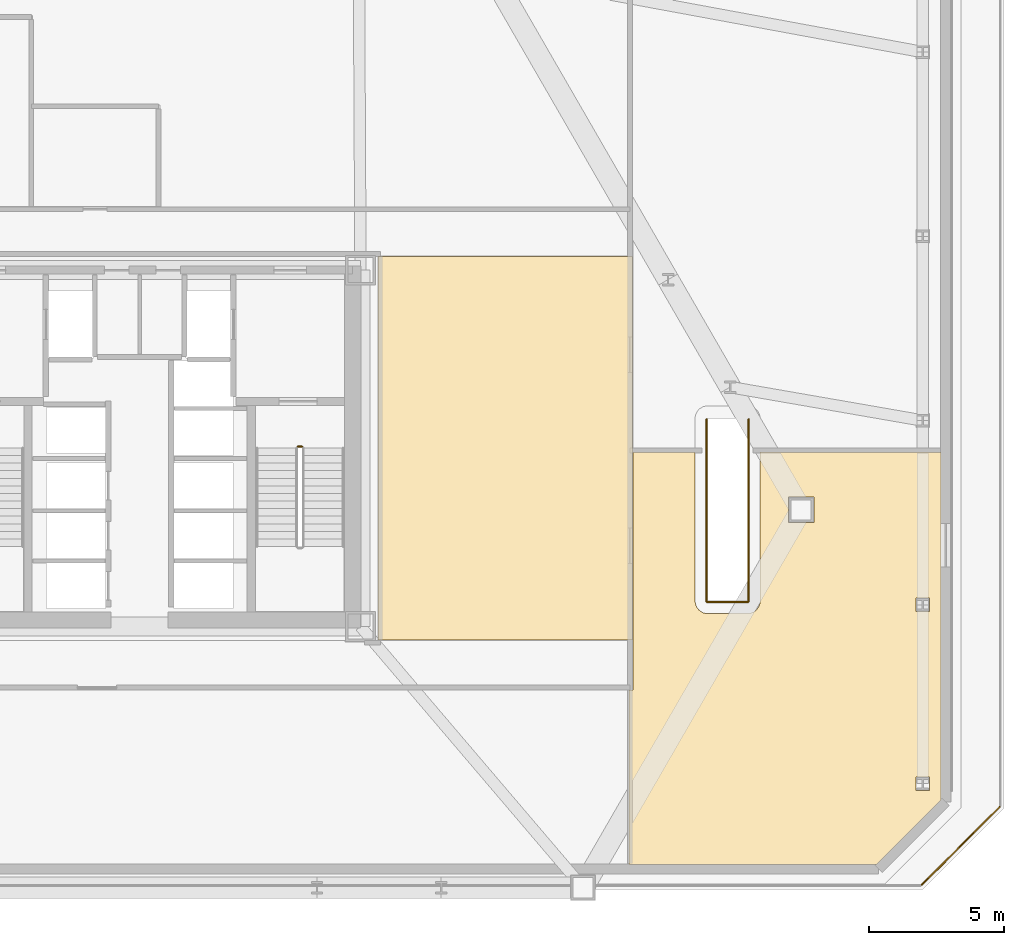
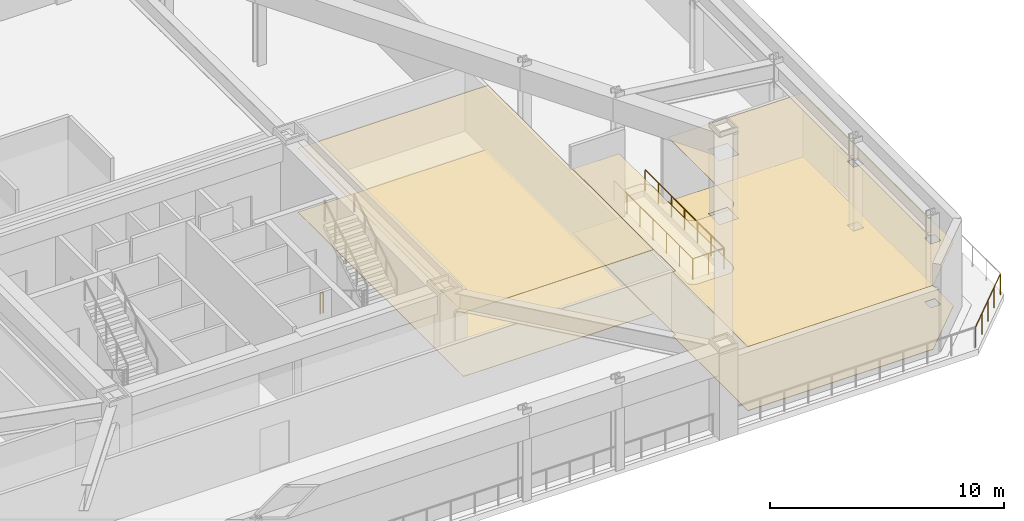
# One storey, part 9 of 10: 5 railings, 4 coverings.
"""IFC4 building model written with IfcOpenShell, lengths in metres."""

from ifc_helpers import new_model, si_unit, direction, frame, origin, origin_2d, place, context, subcontext, project, spatial, polyline, circle, outline, extrude, material, layer, layer_set, type_object, element, save


model = new_model("IFC4")

# Units and contexts
model_context = context("Model", 3, precision=1e-05, world=origin(), true_north=direction((0.0, 1.0)))
body_context = subcontext(model_context, "Body", "Model", "MODEL_VIEW")
ifc_project = project(units=[si_unit("LENGTHUNIT", "METRE"), si_unit("AREAUNIT", "SQUARE_METRE"), si_unit("VOLUMEUNIT", "CUBIC_METRE"), si_unit("PLANEANGLEUNIT", "RADIAN"), si_unit("MASSUNIT", "GRAM", prefix="KILO")], contexts=[model_context])

# Site, building, storey
site_placement = place(None, origin())
site = spatial("IfcSite", under=ifc_project, at=site_placement, CompositionType="ELEMENT")
building_placement = place(site_placement, origin())
building = spatial("IfcBuilding", under=site, at=building_placement, Name="Oramaril Tower", CompositionType="ELEMENT")
storey_placement = place(building_placement, frame((0.0, 0.0, 22.5)))
storey = spatial("IfcBuildingStorey", under=building, at=storey_placement, Name="L05", CompositionType="ELEMENT", Elevation=22.5)

# Coverings
ifc_material_1 = material(Name="Mineral Fibre Acoustic Ceiling")
ifc_layer_1 = layer(ifc_material_1, 0.02001953125)
ifc_layer_set_1 = layer_set([ifc_layer_1], Name="CVT-CEIL")
covering_type_1 = type_object("IfcCoveringType", Name="CVT-CEIL", PredefinedType="CEILING", material=ifc_layer_set_1)
covering_1_placement = place(storey_placement, frame((0.0, 0.0, 3.342041015625)))
element("IfcCovering", 1, at=covering_1_placement, inside=storey, type_object=covering_type_1, Name="L05 Acoustic Suspended Ceiling 4", PredefinedType="CEILING", context=body_context, shape_type="SweptSolid", body=[
    extrude(outline(polyline([(55.679931640625, 10.5), (46.300048828125, 10.5), (46.300048828125, 24.64990234375), (55.679931640625, 24.64990234375), (55.679931640625, 10.5)])), origin(), (0.0, 0.0, 1.0), 0.02001953125),
])
covering_2_placement = place(storey_placement, frame((0.0, 0.0, 3.342041015625)))
element("IfcCovering", 2, at=covering_2_placement, inside=storey, type_object=covering_type_1, Name="L05 Acoustic Suspended Ceiling 7", PredefinedType="CEILING", context=body_context, shape_type="SweptSolid", body=[
    extrude(outline(polyline([(57.99951171875, 11.9052734375), (58.03466796875, 11.765380859375), (58.077880859375, 11.684814453125), (58.13720703125, 11.6123046875), (58.209716796875, 11.552734375), (58.292236328125, 11.5087890625), (58.3818359375, 11.4814453125), (58.477783203125, 11.471923828125), (60.019775390625, 11.482666015625), (60.14990234375, 11.529052734375), (60.262451171875, 11.612548828125), (60.34716796875, 11.7265625), (60.38134765625, 11.8095703125), (60.403076171875, 11.955078125), (60.403076171875, 17.43798828125), (67.08203125, 17.43798828125), (67.08203125, 4.597412109375), (64.70263671875, 2.218017578125), (55.55810546875, 2.218017578125), (55.55810546875, 8.64990234375), (55.679931640625, 8.64990234375), (55.681884765625, 8.650146484375), (55.683837890625, 8.650390625), (55.685791015625, 8.65087890625), (55.687744140625, 8.651611328125), (55.689453125, 8.65234375), (55.691162109375, 8.6533203125), (55.692626953125, 8.654541015625), (55.694091796875, 8.656005859375), (55.695556640625, 8.6572265625), (55.696533203125, 8.658935546875), (55.697509765625, 8.66064453125), (55.698486328125, 8.662353515625), (55.69921875, 8.664306640625), (55.69970703125, 8.666015625), (55.699951171875, 8.66796875), (55.699951171875, 8.669921875), (55.699951171875, 10.47998046875), (55.699951171875, 10.48193359375), (55.69970703125, 10.48388671875), (55.69921875, 10.48583984375), (55.698486328125, 10.48779296875), (55.697509765625, 10.489501953125), (55.697265625, 10.489990234375), (55.697509765625, 10.490478515625), (55.698486328125, 10.4921875), (55.69921875, 10.494140625), (55.69970703125, 10.49609375), (55.699951171875, 10.498046875), (55.699951171875, 10.5), (55.699951171875, 17.43798828125), (57.996826171875, 17.43798828125), (57.9970703125, 17.43798828125), (57.99951171875, 11.9052734375)]), holes=[polyline([(66.652587890625, 4.947509765625), (66.652587890625, 5.452392578125), (66.1474609375, 5.452392578125), (66.1474609375, 4.947509765625), (66.652587890625, 4.947509765625)]), polyline([(66.652587890625, 12.052490234375), (66.1474609375, 12.052490234375), (66.1474609375, 11.547607421875), (66.652587890625, 11.547607421875), (66.652587890625, 12.052490234375)]), polyline([(62.38037109375, 15.77001953125), (61.440185546875, 15.77001953125), (61.440185546875, 14.830078125), (62.38037109375, 14.830078125), (62.38037109375, 15.77001953125)])]), origin(), (0.0, 0.0, 1.0), 0.02001953125),
])
ifc_material_2 = material(Name="Honed Quartzite Stone Flooring", Category="masonry")
ifc_layer_2 = layer(ifc_material_2, 0.02490234375)
ifc_layer_set_2 = layer_set([ifc_layer_2], Name="CVT-FLR")
covering_type_2 = type_object("IfcCoveringType", Name="CVT-FLR", PredefinedType="FLOORING", material=ifc_layer_set_2)
covering_3_placement = place(storey_placement, origin())
element("IfcCovering", 3, at=covering_3_placement, inside=storey, type_object=covering_type_2, Name="L05 Honed Stone Floor Finish 4", PredefinedType="FLOORING", context=body_context, shape_type="SweptSolid", body=[
    extrude(outline(polyline([(55.679931640625, 10.5), (46.300048828125, 10.5), (46.300048828125, 24.64990234375), (55.679931640625, 24.64990234375), (55.679931640625, 10.5)])), origin(), (0.0, 0.0, 1.0), 0.02490234375),
])
covering_4_placement = place(storey_placement, origin())
element("IfcCovering", 4, at=covering_4_placement, inside=storey, type_object=covering_type_2, Name="L05 Honed Stone Floor Finish 7", PredefinedType="FLOORING", context=body_context, shape_type="SweptSolid", body=[
    extrude(outline(polyline([(57.99951171875, 11.9052734375), (58.03466796875, 11.765380859375), (58.077880859375, 11.684814453125), (58.13720703125, 11.6123046875), (58.209716796875, 11.552734375), (58.292236328125, 11.5087890625), (58.3818359375, 11.4814453125), (58.477783203125, 11.471923828125), (60.019775390625, 11.482666015625), (60.14990234375, 11.529052734375), (60.262451171875, 11.612548828125), (60.34716796875, 11.7265625), (60.38134765625, 11.8095703125), (60.403076171875, 11.955078125), (60.403076171875, 17.43798828125), (67.08203125, 17.43798828125), (67.08203125, 4.597412109375), (64.70263671875, 2.218017578125), (55.55810546875, 2.218017578125), (55.55810546875, 8.64990234375), (55.679931640625, 8.64990234375), (55.681884765625, 8.650146484375), (55.683837890625, 8.650390625), (55.685791015625, 8.65087890625), (55.687744140625, 8.651611328125), (55.689453125, 8.65234375), (55.691162109375, 8.6533203125), (55.692626953125, 8.654541015625), (55.694091796875, 8.656005859375), (55.695556640625, 8.6572265625), (55.696533203125, 8.658935546875), (55.697509765625, 8.66064453125), (55.698486328125, 8.662353515625), (55.69921875, 8.664306640625), (55.69970703125, 8.666015625), (55.699951171875, 8.66796875), (55.699951171875, 8.669921875), (55.699951171875, 10.47998046875), (55.699951171875, 10.48193359375), (55.69970703125, 10.48388671875), (55.69921875, 10.48583984375), (55.698486328125, 10.48779296875), (55.697509765625, 10.489501953125), (55.697265625, 10.489990234375), (55.697509765625, 10.490478515625), (55.698486328125, 10.4921875), (55.69921875, 10.494140625), (55.69970703125, 10.49609375), (55.699951171875, 10.498046875), (55.699951171875, 10.5), (55.699951171875, 17.43798828125), (57.996826171875, 17.43798828125), (57.9970703125, 17.43798828125), (57.99951171875, 11.9052734375)]), holes=[polyline([(66.652587890625, 4.947509765625), (66.652587890625, 5.452392578125), (66.1474609375, 5.452392578125), (66.1474609375, 4.947509765625), (66.652587890625, 4.947509765625)]), polyline([(66.652587890625, 12.052490234375), (66.1474609375, 12.052490234375), (66.1474609375, 11.547607421875), (66.652587890625, 11.547607421875), (66.652587890625, 12.052490234375)]), polyline([(62.38037109375, 15.77001953125), (61.440185546875, 15.77001953125), (61.440185546875, 14.830078125), (62.38037109375, 14.830078125), (62.38037109375, 15.77001953125)])]), origin(), (0.0, 0.0, 1.0), 0.02490234375),
])

# Railings
ifc_material_3 = material(Name="Stainless Steel 316L", Category="steel")
railing_type = type_object("IfcRailingType", Name="RLT-GRD", PredefinedType="GUARDRAIL", material=ifc_material_3)
railing_1_placement = place(storey_placement, frame((66.36328125, 1.461181640625, 0.0)))
element("IfcRailing", 5, at=railing_1_placement, inside=storey, type_object=railing_type, Name="L05 Podium Terrace Guardrail 02", PredefinedType="GUARDRAIL", context=body_context, shape_type="SweptSolid", body=[
    extrude(circle(Radius=0.02392578125, at=origin_2d()), frame((0.0, 0.0, 1.076171875), z_axis=(0.707076763706, 0.707136797393, 0.0), x_axis=(-0.707136797393, 0.707076763706, 0.0)), (0.0, 0.0, 1.0), 4.066650390625),
    extrude(circle(Radius=0.02099609375, at=origin_2d()), origin(), (0.0, 0.0, 1.0), 1.052001953125),
    extrude(circle(Radius=0.02099609375, at=origin_2d()), frame((0.71875, 0.718994140625, 0.0)), (0.0, 0.0, 1.0), 1.052001953125),
    extrude(circle(Radius=0.02099609375, at=origin_2d()), frame((1.437744140625, 1.43798828125, 0.0)), (0.0, 0.0, 1.0), 1.052001953125),
    extrude(circle(Radius=0.02099609375, at=origin_2d()), frame((2.15673828125, 2.15673828125, 0.0)), (0.0, 0.0, 1.0), 1.052001953125),
    extrude(circle(Radius=0.02099609375, at=origin_2d()), frame((2.87548828125, 2.875732421875, 0.0)), (0.0, 0.0, 1.0), 1.052001953125),
])
railing_2_placement = place(storey_placement, frame((43.340087890625, 17.639892578125, 0.0)))
element("IfcRailing", 6, at=railing_2_placement, inside=storey, type_object=railing_type, Name="L05 ST-2 stair guard 4", PredefinedType="GUARDRAIL", context=body_context, shape_type="SweptSolid", body=[
    extrude(circle(Radius=0.02392578125, at=origin_2d()), frame((0.0, 0.0, 1.076171875), z_axis=(1.0, 0.0, 0.0), x_axis=(0.0, 1.0, 0.0)), (0.0, 0.0, 1.0), 0.14990234375),
    extrude(circle(Radius=0.02099609375, at=origin_2d()), origin(), (0.0, 0.0, 1.0), 1.052001953125),
    extrude(circle(Radius=0.02099609375, at=origin_2d()), frame((0.14990234375, 0.0, 0.0)), (0.0, 0.0, 1.0), 1.052001953125),
])
railing_3_placement = place(storey_placement, frame((58.425048828125, 18.6494140625, 0.0)))
element("IfcRailing", 7, at=railing_3_placement, inside=storey, type_object=railing_type, Name="L05 ST-7 Well Guard 1", PredefinedType="GUARDRAIL", context=body_context, shape_type="SweptSolid", body=[
    extrude(circle(Radius=0.02392578125, at=origin_2d()), frame((0.0, 0.0, 1.076171875), z_axis=(0.0, -1.0, 0.0), x_axis=(1.0, 0.0, 0.0)), (0.0, 0.0, 1.0), 6.7294921875),
    extrude(circle(Radius=0.02099609375, at=origin_2d()), origin(), (0.0, 0.0, 1.0), 1.052001953125),
    extrude(circle(Radius=0.02099609375, at=origin_2d()), frame((0.0, -1.12158203125, 0.0)), (0.0, 0.0, 1.0), 1.052001953125),
    extrude(circle(Radius=0.02099609375, at=origin_2d()), frame((0.0, -2.2431640625, 0.0)), (0.0, 0.0, 1.0), 1.052001953125),
    extrude(circle(Radius=0.02099609375, at=origin_2d()), frame((0.0, -3.36474609375, 0.0)), (0.0, 0.0, 1.0), 1.052001953125),
    extrude(circle(Radius=0.02099609375, at=origin_2d()), frame((0.0, -4.486328125, 0.0)), (0.0, 0.0, 1.0), 1.052001953125),
    extrude(circle(Radius=0.02099609375, at=origin_2d()), frame((0.0, -5.60791015625, 0.0)), (0.0, 0.0, 1.0), 1.052001953125),
    extrude(circle(Radius=0.02099609375, at=origin_2d()), frame((0.0, -6.7294921875, 0.0)), (0.0, 0.0, 1.0), 1.052001953125),
])
railing_4_placement = place(storey_placement, frame((58.445068359375, 11.89990234375, 0.0)))
element("IfcRailing", 8, at=railing_4_placement, inside=storey, type_object=railing_type, Name="L05 ST-7 Well Guard 2", PredefinedType="GUARDRAIL", context=body_context, shape_type="SweptSolid", body=[
    extrude(circle(Radius=0.02392578125, at=origin_2d()), frame((0.0, 0.0, 1.076171875), z_axis=(1.0, 0.0, 0.0), x_axis=(0.0, 1.0, 0.0)), (0.0, 0.0, 1.0), 1.510009765625),
    extrude(circle(Radius=0.02099609375, at=origin_2d()), origin(), (0.0, 0.0, 1.0), 1.052001953125),
    extrude(circle(Radius=0.02099609375, at=origin_2d()), frame((0.7548828125, 0.0, 0.0)), (0.0, 0.0, 1.0), 1.052001953125),
    extrude(circle(Radius=0.02099609375, at=origin_2d()), frame((1.510009765625, 0.0, 0.0)), (0.0, 0.0, 1.0), 1.052001953125),
])
railing_5_placement = place(storey_placement, frame((59.97509765625, 11.919921875, 0.0)))
element("IfcRailing", 9, at=railing_5_placement, inside=storey, type_object=railing_type, Name="L05 ST-7 Well Guard 3", PredefinedType="GUARDRAIL", context=body_context, shape_type="SweptSolid", body=[
    extrude(circle(Radius=0.02392578125, at=origin_2d()), frame((0.0, 0.0, 1.076171875), z_axis=(0.0, 1.0, 0.0), x_axis=(-1.0, 0.0, 0.0)), (0.0, 0.0, 1.0), 6.7294921875),
    extrude(circle(Radius=0.02099609375, at=origin_2d()), origin(), (0.0, 0.0, 1.0), 1.052001953125),
    extrude(circle(Radius=0.02099609375, at=origin_2d()), frame((0.0, 1.12158203125, 0.0)), (0.0, 0.0, 1.0), 1.052001953125),
    extrude(circle(Radius=0.02099609375, at=origin_2d()), frame((0.0, 2.2431640625, 0.0)), (0.0, 0.0, 1.0), 1.052001953125),
    extrude(circle(Radius=0.02099609375, at=origin_2d()), frame((0.0, 3.36474609375, 0.0)), (0.0, 0.0, 1.0), 1.052001953125),
    extrude(circle(Radius=0.02099609375, at=origin_2d()), frame((0.0, 4.486328125, 0.0)), (0.0, 0.0, 1.0), 1.052001953125),
    extrude(circle(Radius=0.02099609375, at=origin_2d()), frame((0.0, 5.60791015625, 0.0)), (0.0, 0.0, 1.0), 1.052001953125),
    extrude(circle(Radius=0.02099609375, at=origin_2d()), frame((0.0, 6.7294921875, 0.0)), (0.0, 0.0, 1.0), 1.052001953125),
])

save(model, "model.ifc")
